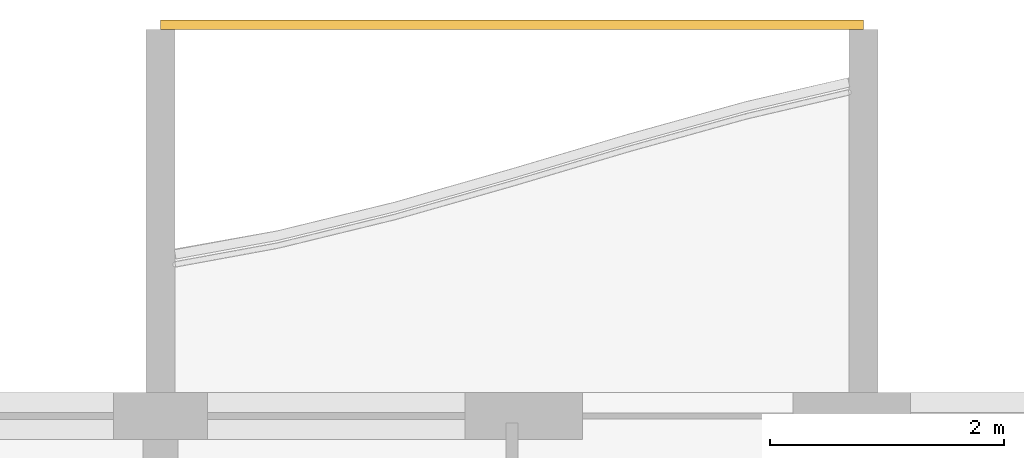
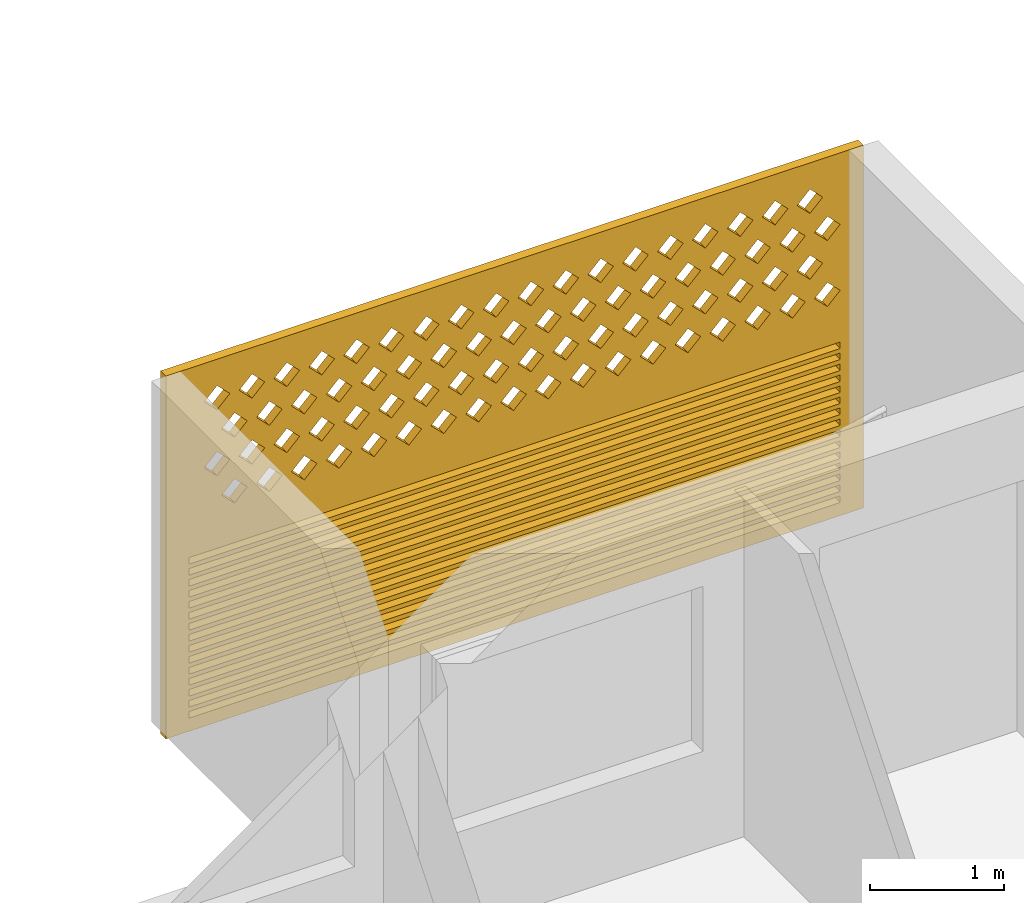
# One storey, part 28 of 32: 1 covering.
"""IFC4 building model written with IfcOpenShell, lengths in metres."""

from ifc_helpers import new_model, si_unit, direction, frame, origin, place, context, subcontext, project, spatial, polyline, outline, extrude, source, transform, mapped, material, material_profile, profile_set, type_object, element, save


model = new_model("IFC4")

# Units and contexts
model_context = context("Model", 3, precision=1e-05, world=origin(), true_north=direction((0.0, 1.0)))
body_context = subcontext(model_context, "Body", "Model", "MODEL_VIEW")
ifc_project = project(units=[si_unit("LENGTHUNIT", "METRE"), si_unit("AREAUNIT", "SQUARE_METRE"), si_unit("VOLUMEUNIT", "CUBIC_METRE"), si_unit("PLANEANGLEUNIT", "RADIAN"), si_unit("MASSUNIT", "GRAM", prefix="KILO")], contexts=[model_context])

# Site, building, storey
site_placement = place(None, origin())
site = spatial("IfcSite", under=ifc_project, at=site_placement, CompositionType="ELEMENT")
building_placement = place(site_placement, origin())
building = spatial("IfcBuilding", under=site, at=building_placement, Name="Poui Terraces", CompositionType="ELEMENT")
storey_placement = place(building_placement, frame((0.0, 0.0, 152.10009765625)))
storey = spatial("IfcBuildingStorey", under=building, at=storey_placement, Name="L42", CompositionType="ELEMENT", Elevation=152.10009765625)

# Covering
ifc_material = material(Name="Terracotta screen", Category="masonry")
ifc_material_profile = material_profile(ifc_material, outline(polyline([(-3.0, -1.64990234375), (3.0, -1.64990234375), (3.0, 1.64990234375), (-3.0, 1.64990234375), (-3.0, -1.64990234375)]), holes=[polyline([(-2.800048828125, 0.39990234375), (-2.68994140625, 0.2900390625), (-2.580078125, 0.39990234375), (-2.68994140625, 0.510009765625), (-2.800048828125, 0.39990234375)]), polyline([(-2.5, 0.39990234375), (-2.389892578125, 0.2900390625), (-2.280029296875, 0.39990234375), (-2.389892578125, 0.510009765625), (-2.5, 0.39990234375)]), polyline([(-2.199951171875, 0.39990234375), (-2.090087890625, 0.2900390625), (-1.97998046875, 0.39990234375), (-2.090087890625, 0.510009765625), (-2.199951171875, 0.39990234375)]), polyline([(-1.89990234375, 0.39990234375), (-1.7900390625, 0.2900390625), (-1.679931640625, 0.39990234375), (-1.7900390625, 0.510009765625), (-1.89990234375, 0.39990234375)]), polyline([(-1.60009765625, 0.39990234375), (-1.489990234375, 0.2900390625), (-1.3798828125, 0.39990234375), (-1.489990234375, 0.510009765625), (-1.60009765625, 0.39990234375)]), polyline([(-1.300048828125, 0.39990234375), (-1.18994140625, 0.2900390625), (-1.080078125, 0.39990234375), (-1.18994140625, 0.510009765625), (-1.300048828125, 0.39990234375)]), polyline([(-1.0, 0.39990234375), (-0.889892578125, 0.2900390625), (-0.780029296875, 0.39990234375), (-0.889892578125, 0.510009765625), (-1.0, 0.39990234375)]), polyline([(-0.699951171875, 0.39990234375), (-0.590087890625, 0.2900390625), (-0.47998046875, 0.39990234375), (-0.590087890625, 0.510009765625), (-0.699951171875, 0.39990234375)]), polyline([(-0.39990234375, 0.39990234375), (-0.2900390625, 0.2900390625), (-0.179931640625, 0.39990234375), (-0.2900390625, 0.510009765625), (-0.39990234375, 0.39990234375)]), polyline([(-0.10009765625, 0.39990234375), (0.010009765625, 0.2900390625), (0.1201171875, 0.39990234375), (0.010009765625, 0.510009765625), (-0.10009765625, 0.39990234375)]), polyline([(0.199951171875, 0.39990234375), (0.31005859375, 0.2900390625), (0.419921875, 0.39990234375), (0.31005859375, 0.510009765625), (0.199951171875, 0.39990234375)]), polyline([(0.5, 0.39990234375), (0.610107421875, 0.2900390625), (0.719970703125, 0.39990234375), (0.610107421875, 0.510009765625), (0.5, 0.39990234375)]), polyline([(0.800048828125, 0.39990234375), (0.909912109375, 0.2900390625), (1.02001953125, 0.39990234375), (0.909912109375, 0.510009765625), (0.800048828125, 0.39990234375)]), polyline([(1.10009765625, 0.39990234375), (1.2099609375, 0.2900390625), (1.320068359375, 0.39990234375), (1.2099609375, 0.510009765625), (1.10009765625, 0.39990234375)]), polyline([(1.39990234375, 0.39990234375), (1.510009765625, 0.2900390625), (1.6201171875, 0.39990234375), (1.510009765625, 0.510009765625), (1.39990234375, 0.39990234375)]), polyline([(1.699951171875, 0.39990234375), (1.81005859375, 0.2900390625), (1.919921875, 0.39990234375), (1.81005859375, 0.510009765625), (1.699951171875, 0.39990234375)]), polyline([(2.0, 0.39990234375), (2.110107421875, 0.2900390625), (2.219970703125, 0.39990234375), (2.110107421875, 0.510009765625), (2.0, 0.39990234375)]), polyline([(2.300048828125, 0.39990234375), (2.409912109375, 0.2900390625), (2.52001953125, 0.39990234375), (2.409912109375, 0.510009765625), (2.300048828125, 0.39990234375)]), polyline([(-2.64990234375, 0.699951171875), (-2.5400390625, 0.590087890625), (-2.429931640625, 0.699951171875), (-2.5400390625, 0.81005859375), (-2.64990234375, 0.699951171875)]), polyline([(-2.35009765625, 0.699951171875), (-2.239990234375, 0.590087890625), (-2.1298828125, 0.699951171875), (-2.239990234375, 0.81005859375), (-2.35009765625, 0.699951171875)]), polyline([(-2.050048828125, 0.699951171875), (-1.93994140625, 0.590087890625), (-1.830078125, 0.699951171875), (-1.93994140625, 0.81005859375), (-2.050048828125, 0.699951171875)]), polyline([(-1.75, 0.699951171875), (-1.639892578125, 0.590087890625), (-1.530029296875, 0.699951171875), (-1.639892578125, 0.81005859375), (-1.75, 0.699951171875)]), polyline([(-1.449951171875, 0.699951171875), (-1.340087890625, 0.590087890625), (-1.22998046875, 0.699951171875), (-1.340087890625, 0.81005859375), (-1.449951171875, 0.699951171875)]), polyline([(-1.14990234375, 0.699951171875), (-1.0400390625, 0.590087890625), (-0.929931640625, 0.699951171875), (-1.0400390625, 0.81005859375), (-1.14990234375, 0.699951171875)]), polyline([(-0.85009765625, 0.699951171875), (-0.739990234375, 0.590087890625), (-0.6298828125, 0.699951171875), (-0.739990234375, 0.81005859375), (-0.85009765625, 0.699951171875)]), polyline([(-0.550048828125, 0.699951171875), (-0.43994140625, 0.590087890625), (-0.330078125, 0.699951171875), (-0.43994140625, 0.81005859375), (-0.550048828125, 0.699951171875)]), polyline([(-0.25, 0.699951171875), (-0.139892578125, 0.590087890625), (-0.030029296875, 0.699951171875), (-0.139892578125, 0.81005859375), (-0.25, 0.699951171875)]), polyline([(0.050048828125, 0.699951171875), (0.159912109375, 0.590087890625), (0.27001953125, 0.699951171875), (0.159912109375, 0.81005859375), (0.050048828125, 0.699951171875)]), polyline([(0.35009765625, 0.699951171875), (0.4599609375, 0.590087890625), (0.570068359375, 0.699951171875), (0.4599609375, 0.81005859375), (0.35009765625, 0.699951171875)]), polyline([(0.64990234375, 0.699951171875), (0.760009765625, 0.590087890625), (0.8701171875, 0.699951171875), (0.760009765625, 0.81005859375), (0.64990234375, 0.699951171875)]), polyline([(0.949951171875, 0.699951171875), (1.06005859375, 0.590087890625), (1.169921875, 0.699951171875), (1.06005859375, 0.81005859375), (0.949951171875, 0.699951171875)]), polyline([(1.25, 0.699951171875), (1.360107421875, 0.590087890625), (1.469970703125, 0.699951171875), (1.360107421875, 0.81005859375), (1.25, 0.699951171875)]), polyline([(1.550048828125, 0.699951171875), (1.659912109375, 0.590087890625), (1.77001953125, 0.699951171875), (1.659912109375, 0.81005859375), (1.550048828125, 0.699951171875)]), polyline([(1.85009765625, 0.699951171875), (1.9599609375, 0.590087890625), (2.070068359375, 0.699951171875), (1.9599609375, 0.81005859375), (1.85009765625, 0.699951171875)]), polyline([(2.14990234375, 0.699951171875), (2.260009765625, 0.590087890625), (2.3701171875, 0.699951171875), (2.260009765625, 0.81005859375), (2.14990234375, 0.699951171875)]), polyline([(2.449951171875, 0.699951171875), (2.56005859375, 0.590087890625), (2.669921875, 0.699951171875), (2.56005859375, 0.81005859375), (2.449951171875, 0.699951171875)]), polyline([(-2.800048828125, 1.0), (-2.68994140625, 0.889892578125), (-2.580078125, 1.0), (-2.68994140625, 1.110107421875), (-2.800048828125, 1.0)]), polyline([(-2.5, 1.0), (-2.389892578125, 0.889892578125), (-2.280029296875, 1.0), (-2.389892578125, 1.110107421875), (-2.5, 1.0)]), polyline([(-2.199951171875, 1.0), (-2.090087890625, 0.889892578125), (-1.97998046875, 1.0), (-2.090087890625, 1.110107421875), (-2.199951171875, 1.0)]), polyline([(-1.89990234375, 1.0), (-1.7900390625, 0.889892578125), (-1.679931640625, 1.0), (-1.7900390625, 1.110107421875), (-1.89990234375, 1.0)]), polyline([(-1.60009765625, 1.0), (-1.489990234375, 0.889892578125), (-1.3798828125, 1.0), (-1.489990234375, 1.110107421875), (-1.60009765625, 1.0)]), polyline([(-1.300048828125, 1.0), (-1.18994140625, 0.889892578125), (-1.080078125, 1.0), (-1.18994140625, 1.110107421875), (-1.300048828125, 1.0)]), polyline([(-1.0, 1.0), (-0.889892578125, 0.889892578125), (-0.780029296875, 1.0), (-0.889892578125, 1.110107421875), (-1.0, 1.0)]), polyline([(-0.699951171875, 1.0), (-0.590087890625, 0.889892578125), (-0.47998046875, 1.0), (-0.590087890625, 1.110107421875), (-0.699951171875, 1.0)]), polyline([(-0.39990234375, 1.0), (-0.2900390625, 0.889892578125), (-0.179931640625, 1.0), (-0.2900390625, 1.110107421875), (-0.39990234375, 1.0)]), polyline([(-0.10009765625, 1.0), (0.010009765625, 0.889892578125), (0.1201171875, 1.0), (0.010009765625, 1.110107421875), (-0.10009765625, 1.0)]), polyline([(0.199951171875, 1.0), (0.31005859375, 0.889892578125), (0.419921875, 1.0), (0.31005859375, 1.110107421875), (0.199951171875, 1.0)]), polyline([(0.5, 1.0), (0.610107421875, 0.889892578125), (0.719970703125, 1.0), (0.610107421875, 1.110107421875), (0.5, 1.0)]), polyline([(0.800048828125, 1.0), (0.909912109375, 0.889892578125), (1.02001953125, 1.0), (0.909912109375, 1.110107421875), (0.800048828125, 1.0)]), polyline([(1.10009765625, 1.0), (1.2099609375, 0.889892578125), (1.320068359375, 1.0), (1.2099609375, 1.110107421875), (1.10009765625, 1.0)]), polyline([(1.39990234375, 1.0), (1.510009765625, 0.889892578125), (1.6201171875, 1.0), (1.510009765625, 1.110107421875), (1.39990234375, 1.0)]), polyline([(1.699951171875, 1.0), (1.81005859375, 0.889892578125), (1.919921875, 1.0), (1.81005859375, 1.110107421875), (1.699951171875, 1.0)]), polyline([(2.0, 1.0), (2.110107421875, 0.889892578125), (2.219970703125, 1.0), (2.110107421875, 1.110107421875), (2.0, 1.0)]), polyline([(2.300048828125, 1.0), (2.409912109375, 0.889892578125), (2.52001953125, 1.0), (2.409912109375, 1.110107421875), (2.300048828125, 1.0)]), polyline([(-2.64990234375, 1.300048828125), (-2.5400390625, 1.18994140625), (-2.429931640625, 1.300048828125), (-2.5400390625, 1.409912109375), (-2.64990234375, 1.300048828125)]), polyline([(-2.35009765625, 1.300048828125), (-2.239990234375, 1.18994140625), (-2.1298828125, 1.300048828125), (-2.239990234375, 1.409912109375), (-2.35009765625, 1.300048828125)]), polyline([(-2.050048828125, 1.300048828125), (-1.93994140625, 1.18994140625), (-1.830078125, 1.300048828125), (-1.93994140625, 1.409912109375), (-2.050048828125, 1.300048828125)]), polyline([(-1.75, 1.300048828125), (-1.639892578125, 1.18994140625), (-1.530029296875, 1.300048828125), (-1.639892578125, 1.409912109375), (-1.75, 1.300048828125)]), polyline([(-1.449951171875, 1.300048828125), (-1.340087890625, 1.18994140625), (-1.22998046875, 1.300048828125), (-1.340087890625, 1.409912109375), (-1.449951171875, 1.300048828125)]), polyline([(-1.14990234375, 1.300048828125), (-1.0400390625, 1.18994140625), (-0.929931640625, 1.300048828125), (-1.0400390625, 1.409912109375), (-1.14990234375, 1.300048828125)]), polyline([(-0.85009765625, 1.300048828125), (-0.739990234375, 1.18994140625), (-0.6298828125, 1.300048828125), (-0.739990234375, 1.409912109375), (-0.85009765625, 1.300048828125)]), polyline([(-0.550048828125, 1.300048828125), (-0.43994140625, 1.18994140625), (-0.330078125, 1.300048828125), (-0.43994140625, 1.409912109375), (-0.550048828125, 1.300048828125)]), polyline([(-0.25, 1.300048828125), (-0.139892578125, 1.18994140625), (-0.030029296875, 1.300048828125), (-0.139892578125, 1.409912109375), (-0.25, 1.300048828125)]), polyline([(0.050048828125, 1.300048828125), (0.159912109375, 1.18994140625), (0.27001953125, 1.300048828125), (0.159912109375, 1.409912109375), (0.050048828125, 1.300048828125)]), polyline([(0.35009765625, 1.300048828125), (0.4599609375, 1.18994140625), (0.570068359375, 1.300048828125), (0.4599609375, 1.409912109375), (0.35009765625, 1.300048828125)]), polyline([(0.64990234375, 1.300048828125), (0.760009765625, 1.18994140625), (0.8701171875, 1.300048828125), (0.760009765625, 1.409912109375), (0.64990234375, 1.300048828125)]), polyline([(0.949951171875, 1.300048828125), (1.06005859375, 1.18994140625), (1.169921875, 1.300048828125), (1.06005859375, 1.409912109375), (0.949951171875, 1.300048828125)]), polyline([(1.25, 1.300048828125), (1.360107421875, 1.18994140625), (1.469970703125, 1.300048828125), (1.360107421875, 1.409912109375), (1.25, 1.300048828125)]), polyline([(1.550048828125, 1.300048828125), (1.659912109375, 1.18994140625), (1.77001953125, 1.300048828125), (1.659912109375, 1.409912109375), (1.550048828125, 1.300048828125)]), polyline([(1.85009765625, 1.300048828125), (1.9599609375, 1.18994140625), (2.070068359375, 1.300048828125), (1.9599609375, 1.409912109375), (1.85009765625, 1.300048828125)]), polyline([(2.14990234375, 1.300048828125), (2.260009765625, 1.18994140625), (2.3701171875, 1.300048828125), (2.260009765625, 1.409912109375), (2.14990234375, 1.300048828125)]), polyline([(2.449951171875, 1.300048828125), (2.56005859375, 1.18994140625), (2.669921875, 1.300048828125), (2.56005859375, 1.409912109375), (2.449951171875, 1.300048828125)]), polyline([(-2.800048828125, -1.530029296875), (2.800048828125, -1.530029296875), (2.800048828125, -1.469970703125), (-2.800048828125, -1.469970703125), (-2.800048828125, -1.530029296875)]), polyline([(-2.800048828125, -1.429931640625), (2.800048828125, -1.429931640625), (2.800048828125, -1.3701171875), (-2.800048828125, -1.3701171875), (-2.800048828125, -1.429931640625)]), polyline([(-2.800048828125, -1.330078125), (2.800048828125, -1.330078125), (2.800048828125, -1.27001953125), (-2.800048828125, -1.27001953125), (-2.800048828125, -1.330078125)]), polyline([(-2.800048828125, -1.22998046875), (2.800048828125, -1.22998046875), (2.800048828125, -1.169921875), (-2.800048828125, -1.169921875), (-2.800048828125, -1.22998046875)]), polyline([(-2.800048828125, -1.1298828125), (2.800048828125, -1.1298828125), (2.800048828125, -1.070068359375), (-2.800048828125, -1.070068359375), (-2.800048828125, -1.1298828125)]), polyline([(-2.800048828125, -1.030029296875), (2.800048828125, -1.030029296875), (2.800048828125, -0.969970703125), (-2.800048828125, -0.969970703125), (-2.800048828125, -1.030029296875)]), polyline([(-2.800048828125, -0.929931640625), (2.800048828125, -0.929931640625), (2.800048828125, -0.8701171875), (-2.800048828125, -0.8701171875), (-2.800048828125, -0.929931640625)]), polyline([(-2.800048828125, -0.830078125), (2.800048828125, -0.830078125), (2.800048828125, -0.77001953125), (-2.800048828125, -0.77001953125), (-2.800048828125, -0.830078125)]), polyline([(-2.800048828125, -0.72998046875), (2.800048828125, -0.72998046875), (2.800048828125, -0.669921875), (-2.800048828125, -0.669921875), (-2.800048828125, -0.72998046875)]), polyline([(-2.800048828125, -0.6298828125), (2.800048828125, -0.6298828125), (2.800048828125, -0.570068359375), (-2.800048828125, -0.570068359375), (-2.800048828125, -0.6298828125)]), polyline([(-2.800048828125, -0.530029296875), (2.800048828125, -0.530029296875), (2.800048828125, -0.469970703125), (-2.800048828125, -0.469970703125), (-2.800048828125, -0.530029296875)]), polyline([(-2.800048828125, -0.429931640625), (2.800048828125, -0.429931640625), (2.800048828125, -0.3701171875), (-2.800048828125, -0.3701171875), (-2.800048828125, -0.429931640625)]), polyline([(-2.800048828125, -0.330078125), (2.800048828125, -0.330078125), (2.800048828125, -0.27001953125), (-2.800048828125, -0.27001953125), (-2.800048828125, -0.330078125)]), polyline([(-2.800048828125, -0.22998046875), (2.800048828125, -0.22998046875), (2.800048828125, -0.169921875), (-2.800048828125, -0.169921875), (-2.800048828125, -0.22998046875)]), polyline([(-2.800048828125, -0.1298828125), (2.800048828125, -0.1298828125), (2.800048828125, -0.070068359375), (-2.800048828125, -0.070068359375), (-2.800048828125, -0.1298828125)])]), Name="TERRACOTTA SCREEN AND JALOUSIE LOUVRE 6000X3300")
ifc_profile_set = profile_set([ifc_material_profile], Name="Terracotta screen")
covering_type = type_object("IfcCoveringType", Name="TERRACOTTA SCREEN AND JALOUSIE LOUVRE 6000X3300", PredefinedType="CLADDING", material=ifc_profile_set)
shared_shape = source(origin(), body_context, "Body", "SweptSolid", [
    extrude(outline(polyline([(-3.0, -1.64990234375), (3.0, -1.64990234375), (3.0, 1.64990234375), (-3.0, 1.64990234375), (-3.0, -1.64990234375)]), holes=[polyline([(-2.800048828125, 0.39990234375), (-2.68994140625, 0.2900390625), (-2.580078125, 0.39990234375), (-2.68994140625, 0.510009765625), (-2.800048828125, 0.39990234375)]), polyline([(-2.5, 0.39990234375), (-2.389892578125, 0.2900390625), (-2.280029296875, 0.39990234375), (-2.389892578125, 0.510009765625), (-2.5, 0.39990234375)]), polyline([(-2.199951171875, 0.39990234375), (-2.090087890625, 0.2900390625), (-1.97998046875, 0.39990234375), (-2.090087890625, 0.510009765625), (-2.199951171875, 0.39990234375)]), polyline([(-1.89990234375, 0.39990234375), (-1.7900390625, 0.2900390625), (-1.679931640625, 0.39990234375), (-1.7900390625, 0.510009765625), (-1.89990234375, 0.39990234375)]), polyline([(-1.60009765625, 0.39990234375), (-1.489990234375, 0.2900390625), (-1.3798828125, 0.39990234375), (-1.489990234375, 0.510009765625), (-1.60009765625, 0.39990234375)]), polyline([(-1.300048828125, 0.39990234375), (-1.18994140625, 0.2900390625), (-1.080078125, 0.39990234375), (-1.18994140625, 0.510009765625), (-1.300048828125, 0.39990234375)]), polyline([(-1.0, 0.39990234375), (-0.889892578125, 0.2900390625), (-0.780029296875, 0.39990234375), (-0.889892578125, 0.510009765625), (-1.0, 0.39990234375)]), polyline([(-0.699951171875, 0.39990234375), (-0.590087890625, 0.2900390625), (-0.47998046875, 0.39990234375), (-0.590087890625, 0.510009765625), (-0.699951171875, 0.39990234375)]), polyline([(-0.39990234375, 0.39990234375), (-0.2900390625, 0.2900390625), (-0.179931640625, 0.39990234375), (-0.2900390625, 0.510009765625), (-0.39990234375, 0.39990234375)]), polyline([(-0.10009765625, 0.39990234375), (0.010009765625, 0.2900390625), (0.1201171875, 0.39990234375), (0.010009765625, 0.510009765625), (-0.10009765625, 0.39990234375)]), polyline([(0.199951171875, 0.39990234375), (0.31005859375, 0.2900390625), (0.419921875, 0.39990234375), (0.31005859375, 0.510009765625), (0.199951171875, 0.39990234375)]), polyline([(0.5, 0.39990234375), (0.610107421875, 0.2900390625), (0.719970703125, 0.39990234375), (0.610107421875, 0.510009765625), (0.5, 0.39990234375)]), polyline([(0.800048828125, 0.39990234375), (0.909912109375, 0.2900390625), (1.02001953125, 0.39990234375), (0.909912109375, 0.510009765625), (0.800048828125, 0.39990234375)]), polyline([(1.10009765625, 0.39990234375), (1.2099609375, 0.2900390625), (1.320068359375, 0.39990234375), (1.2099609375, 0.510009765625), (1.10009765625, 0.39990234375)]), polyline([(1.39990234375, 0.39990234375), (1.510009765625, 0.2900390625), (1.6201171875, 0.39990234375), (1.510009765625, 0.510009765625), (1.39990234375, 0.39990234375)]), polyline([(1.699951171875, 0.39990234375), (1.81005859375, 0.2900390625), (1.919921875, 0.39990234375), (1.81005859375, 0.510009765625), (1.699951171875, 0.39990234375)]), polyline([(2.0, 0.39990234375), (2.110107421875, 0.2900390625), (2.219970703125, 0.39990234375), (2.110107421875, 0.510009765625), (2.0, 0.39990234375)]), polyline([(2.300048828125, 0.39990234375), (2.409912109375, 0.2900390625), (2.52001953125, 0.39990234375), (2.409912109375, 0.510009765625), (2.300048828125, 0.39990234375)]), polyline([(-2.64990234375, 0.699951171875), (-2.5400390625, 0.590087890625), (-2.429931640625, 0.699951171875), (-2.5400390625, 0.81005859375), (-2.64990234375, 0.699951171875)]), polyline([(-2.35009765625, 0.699951171875), (-2.239990234375, 0.590087890625), (-2.1298828125, 0.699951171875), (-2.239990234375, 0.81005859375), (-2.35009765625, 0.699951171875)]), polyline([(-2.050048828125, 0.699951171875), (-1.93994140625, 0.590087890625), (-1.830078125, 0.699951171875), (-1.93994140625, 0.81005859375), (-2.050048828125, 0.699951171875)]), polyline([(-1.75, 0.699951171875), (-1.639892578125, 0.590087890625), (-1.530029296875, 0.699951171875), (-1.639892578125, 0.81005859375), (-1.75, 0.699951171875)]), polyline([(-1.449951171875, 0.699951171875), (-1.340087890625, 0.590087890625), (-1.22998046875, 0.699951171875), (-1.340087890625, 0.81005859375), (-1.449951171875, 0.699951171875)]), polyline([(-1.14990234375, 0.699951171875), (-1.0400390625, 0.590087890625), (-0.929931640625, 0.699951171875), (-1.0400390625, 0.81005859375), (-1.14990234375, 0.699951171875)]), polyline([(-0.85009765625, 0.699951171875), (-0.739990234375, 0.590087890625), (-0.6298828125, 0.699951171875), (-0.739990234375, 0.81005859375), (-0.85009765625, 0.699951171875)]), polyline([(-0.550048828125, 0.699951171875), (-0.43994140625, 0.590087890625), (-0.330078125, 0.699951171875), (-0.43994140625, 0.81005859375), (-0.550048828125, 0.699951171875)]), polyline([(-0.25, 0.699951171875), (-0.139892578125, 0.590087890625), (-0.030029296875, 0.699951171875), (-0.139892578125, 0.81005859375), (-0.25, 0.699951171875)]), polyline([(0.050048828125, 0.699951171875), (0.159912109375, 0.590087890625), (0.27001953125, 0.699951171875), (0.159912109375, 0.81005859375), (0.050048828125, 0.699951171875)]), polyline([(0.35009765625, 0.699951171875), (0.4599609375, 0.590087890625), (0.570068359375, 0.699951171875), (0.4599609375, 0.81005859375), (0.35009765625, 0.699951171875)]), polyline([(0.64990234375, 0.699951171875), (0.760009765625, 0.590087890625), (0.8701171875, 0.699951171875), (0.760009765625, 0.81005859375), (0.64990234375, 0.699951171875)]), polyline([(0.949951171875, 0.699951171875), (1.06005859375, 0.590087890625), (1.169921875, 0.699951171875), (1.06005859375, 0.81005859375), (0.949951171875, 0.699951171875)]), polyline([(1.25, 0.699951171875), (1.360107421875, 0.590087890625), (1.469970703125, 0.699951171875), (1.360107421875, 0.81005859375), (1.25, 0.699951171875)]), polyline([(1.550048828125, 0.699951171875), (1.659912109375, 0.590087890625), (1.77001953125, 0.699951171875), (1.659912109375, 0.81005859375), (1.550048828125, 0.699951171875)]), polyline([(1.85009765625, 0.699951171875), (1.9599609375, 0.590087890625), (2.070068359375, 0.699951171875), (1.9599609375, 0.81005859375), (1.85009765625, 0.699951171875)]), polyline([(2.14990234375, 0.699951171875), (2.260009765625, 0.590087890625), (2.3701171875, 0.699951171875), (2.260009765625, 0.81005859375), (2.14990234375, 0.699951171875)]), polyline([(2.449951171875, 0.699951171875), (2.56005859375, 0.590087890625), (2.669921875, 0.699951171875), (2.56005859375, 0.81005859375), (2.449951171875, 0.699951171875)]), polyline([(-2.800048828125, 1.0), (-2.68994140625, 0.889892578125), (-2.580078125, 1.0), (-2.68994140625, 1.110107421875), (-2.800048828125, 1.0)]), polyline([(-2.5, 1.0), (-2.389892578125, 0.889892578125), (-2.280029296875, 1.0), (-2.389892578125, 1.110107421875), (-2.5, 1.0)]), polyline([(-2.199951171875, 1.0), (-2.090087890625, 0.889892578125), (-1.97998046875, 1.0), (-2.090087890625, 1.110107421875), (-2.199951171875, 1.0)]), polyline([(-1.89990234375, 1.0), (-1.7900390625, 0.889892578125), (-1.679931640625, 1.0), (-1.7900390625, 1.110107421875), (-1.89990234375, 1.0)]), polyline([(-1.60009765625, 1.0), (-1.489990234375, 0.889892578125), (-1.3798828125, 1.0), (-1.489990234375, 1.110107421875), (-1.60009765625, 1.0)]), polyline([(-1.300048828125, 1.0), (-1.18994140625, 0.889892578125), (-1.080078125, 1.0), (-1.18994140625, 1.110107421875), (-1.300048828125, 1.0)]), polyline([(-1.0, 1.0), (-0.889892578125, 0.889892578125), (-0.780029296875, 1.0), (-0.889892578125, 1.110107421875), (-1.0, 1.0)]), polyline([(-0.699951171875, 1.0), (-0.590087890625, 0.889892578125), (-0.47998046875, 1.0), (-0.590087890625, 1.110107421875), (-0.699951171875, 1.0)]), polyline([(-0.39990234375, 1.0), (-0.2900390625, 0.889892578125), (-0.179931640625, 1.0), (-0.2900390625, 1.110107421875), (-0.39990234375, 1.0)]), polyline([(-0.10009765625, 1.0), (0.010009765625, 0.889892578125), (0.1201171875, 1.0), (0.010009765625, 1.110107421875), (-0.10009765625, 1.0)]), polyline([(0.199951171875, 1.0), (0.31005859375, 0.889892578125), (0.419921875, 1.0), (0.31005859375, 1.110107421875), (0.199951171875, 1.0)]), polyline([(0.5, 1.0), (0.610107421875, 0.889892578125), (0.719970703125, 1.0), (0.610107421875, 1.110107421875), (0.5, 1.0)]), polyline([(0.800048828125, 1.0), (0.909912109375, 0.889892578125), (1.02001953125, 1.0), (0.909912109375, 1.110107421875), (0.800048828125, 1.0)]), polyline([(1.10009765625, 1.0), (1.2099609375, 0.889892578125), (1.320068359375, 1.0), (1.2099609375, 1.110107421875), (1.10009765625, 1.0)]), polyline([(1.39990234375, 1.0), (1.510009765625, 0.889892578125), (1.6201171875, 1.0), (1.510009765625, 1.110107421875), (1.39990234375, 1.0)]), polyline([(1.699951171875, 1.0), (1.81005859375, 0.889892578125), (1.919921875, 1.0), (1.81005859375, 1.110107421875), (1.699951171875, 1.0)]), polyline([(2.0, 1.0), (2.110107421875, 0.889892578125), (2.219970703125, 1.0), (2.110107421875, 1.110107421875), (2.0, 1.0)]), polyline([(2.300048828125, 1.0), (2.409912109375, 0.889892578125), (2.52001953125, 1.0), (2.409912109375, 1.110107421875), (2.300048828125, 1.0)]), polyline([(-2.64990234375, 1.300048828125), (-2.5400390625, 1.18994140625), (-2.429931640625, 1.300048828125), (-2.5400390625, 1.409912109375), (-2.64990234375, 1.300048828125)]), polyline([(-2.35009765625, 1.300048828125), (-2.239990234375, 1.18994140625), (-2.1298828125, 1.300048828125), (-2.239990234375, 1.409912109375), (-2.35009765625, 1.300048828125)]), polyline([(-2.050048828125, 1.300048828125), (-1.93994140625, 1.18994140625), (-1.830078125, 1.300048828125), (-1.93994140625, 1.409912109375), (-2.050048828125, 1.300048828125)]), polyline([(-1.75, 1.300048828125), (-1.639892578125, 1.18994140625), (-1.530029296875, 1.300048828125), (-1.639892578125, 1.409912109375), (-1.75, 1.300048828125)]), polyline([(-1.449951171875, 1.300048828125), (-1.340087890625, 1.18994140625), (-1.22998046875, 1.300048828125), (-1.340087890625, 1.409912109375), (-1.449951171875, 1.300048828125)]), polyline([(-1.14990234375, 1.300048828125), (-1.0400390625, 1.18994140625), (-0.929931640625, 1.300048828125), (-1.0400390625, 1.409912109375), (-1.14990234375, 1.300048828125)]), polyline([(-0.85009765625, 1.300048828125), (-0.739990234375, 1.18994140625), (-0.6298828125, 1.300048828125), (-0.739990234375, 1.409912109375), (-0.85009765625, 1.300048828125)]), polyline([(-0.550048828125, 1.300048828125), (-0.43994140625, 1.18994140625), (-0.330078125, 1.300048828125), (-0.43994140625, 1.409912109375), (-0.550048828125, 1.300048828125)]), polyline([(-0.25, 1.300048828125), (-0.139892578125, 1.18994140625), (-0.030029296875, 1.300048828125), (-0.139892578125, 1.409912109375), (-0.25, 1.300048828125)]), polyline([(0.050048828125, 1.300048828125), (0.159912109375, 1.18994140625), (0.27001953125, 1.300048828125), (0.159912109375, 1.409912109375), (0.050048828125, 1.300048828125)]), polyline([(0.35009765625, 1.300048828125), (0.4599609375, 1.18994140625), (0.570068359375, 1.300048828125), (0.4599609375, 1.409912109375), (0.35009765625, 1.300048828125)]), polyline([(0.64990234375, 1.300048828125), (0.760009765625, 1.18994140625), (0.8701171875, 1.300048828125), (0.760009765625, 1.409912109375), (0.64990234375, 1.300048828125)]), polyline([(0.949951171875, 1.300048828125), (1.06005859375, 1.18994140625), (1.169921875, 1.300048828125), (1.06005859375, 1.409912109375), (0.949951171875, 1.300048828125)]), polyline([(1.25, 1.300048828125), (1.360107421875, 1.18994140625), (1.469970703125, 1.300048828125), (1.360107421875, 1.409912109375), (1.25, 1.300048828125)]), polyline([(1.550048828125, 1.300048828125), (1.659912109375, 1.18994140625), (1.77001953125, 1.300048828125), (1.659912109375, 1.409912109375), (1.550048828125, 1.300048828125)]), polyline([(1.85009765625, 1.300048828125), (1.9599609375, 1.18994140625), (2.070068359375, 1.300048828125), (1.9599609375, 1.409912109375), (1.85009765625, 1.300048828125)]), polyline([(2.14990234375, 1.300048828125), (2.260009765625, 1.18994140625), (2.3701171875, 1.300048828125), (2.260009765625, 1.409912109375), (2.14990234375, 1.300048828125)]), polyline([(2.449951171875, 1.300048828125), (2.56005859375, 1.18994140625), (2.669921875, 1.300048828125), (2.56005859375, 1.409912109375), (2.449951171875, 1.300048828125)]), polyline([(-2.800048828125, -1.530029296875), (2.800048828125, -1.530029296875), (2.800048828125, -1.469970703125), (-2.800048828125, -1.469970703125), (-2.800048828125, -1.530029296875)]), polyline([(-2.800048828125, -1.429931640625), (2.800048828125, -1.429931640625), (2.800048828125, -1.3701171875), (-2.800048828125, -1.3701171875), (-2.800048828125, -1.429931640625)]), polyline([(-2.800048828125, -1.330078125), (2.800048828125, -1.330078125), (2.800048828125, -1.27001953125), (-2.800048828125, -1.27001953125), (-2.800048828125, -1.330078125)]), polyline([(-2.800048828125, -1.22998046875), (2.800048828125, -1.22998046875), (2.800048828125, -1.169921875), (-2.800048828125, -1.169921875), (-2.800048828125, -1.22998046875)]), polyline([(-2.800048828125, -1.1298828125), (2.800048828125, -1.1298828125), (2.800048828125, -1.070068359375), (-2.800048828125, -1.070068359375), (-2.800048828125, -1.1298828125)]), polyline([(-2.800048828125, -1.030029296875), (2.800048828125, -1.030029296875), (2.800048828125, -0.969970703125), (-2.800048828125, -0.969970703125), (-2.800048828125, -1.030029296875)]), polyline([(-2.800048828125, -0.929931640625), (2.800048828125, -0.929931640625), (2.800048828125, -0.8701171875), (-2.800048828125, -0.8701171875), (-2.800048828125, -0.929931640625)]), polyline([(-2.800048828125, -0.830078125), (2.800048828125, -0.830078125), (2.800048828125, -0.77001953125), (-2.800048828125, -0.77001953125), (-2.800048828125, -0.830078125)]), polyline([(-2.800048828125, -0.72998046875), (2.800048828125, -0.72998046875), (2.800048828125, -0.669921875), (-2.800048828125, -0.669921875), (-2.800048828125, -0.72998046875)]), polyline([(-2.800048828125, -0.6298828125), (2.800048828125, -0.6298828125), (2.800048828125, -0.570068359375), (-2.800048828125, -0.570068359375), (-2.800048828125, -0.6298828125)]), polyline([(-2.800048828125, -0.530029296875), (2.800048828125, -0.530029296875), (2.800048828125, -0.469970703125), (-2.800048828125, -0.469970703125), (-2.800048828125, -0.530029296875)]), polyline([(-2.800048828125, -0.429931640625), (2.800048828125, -0.429931640625), (2.800048828125, -0.3701171875), (-2.800048828125, -0.3701171875), (-2.800048828125, -0.429931640625)]), polyline([(-2.800048828125, -0.330078125), (2.800048828125, -0.330078125), (2.800048828125, -0.27001953125), (-2.800048828125, -0.27001953125), (-2.800048828125, -0.330078125)]), polyline([(-2.800048828125, -0.22998046875), (2.800048828125, -0.22998046875), (2.800048828125, -0.169921875), (-2.800048828125, -0.169921875), (-2.800048828125, -0.22998046875)]), polyline([(-2.800048828125, -0.1298828125), (2.800048828125, -0.1298828125), (2.800048828125, -0.070068359375), (-2.800048828125, -0.070068359375), (-2.800048828125, -0.1298828125)])]), origin(), (0.0, 0.0, 1.0), 0.080078125),
])
covering_placement = place(storey_placement, frame((63.0, 45.699951171875, 1.449951171875), z_axis=(0.0, 1.0, 0.0), x_axis=(-1.0, 0.0, 0.0)))
element("IfcCovering", 1, at=covering_placement, inside=storey, type_object=covering_type, Name="SOLAR SCREEN AND JALOUSIE LOUVRE", PredefinedType="CLADDING", context=body_context, shape_type="MappedRepresentation", body=[
    mapped(shared_shape, transform((0.0, 0.0, 0.0))),
])

save(model, "model.ifc")
